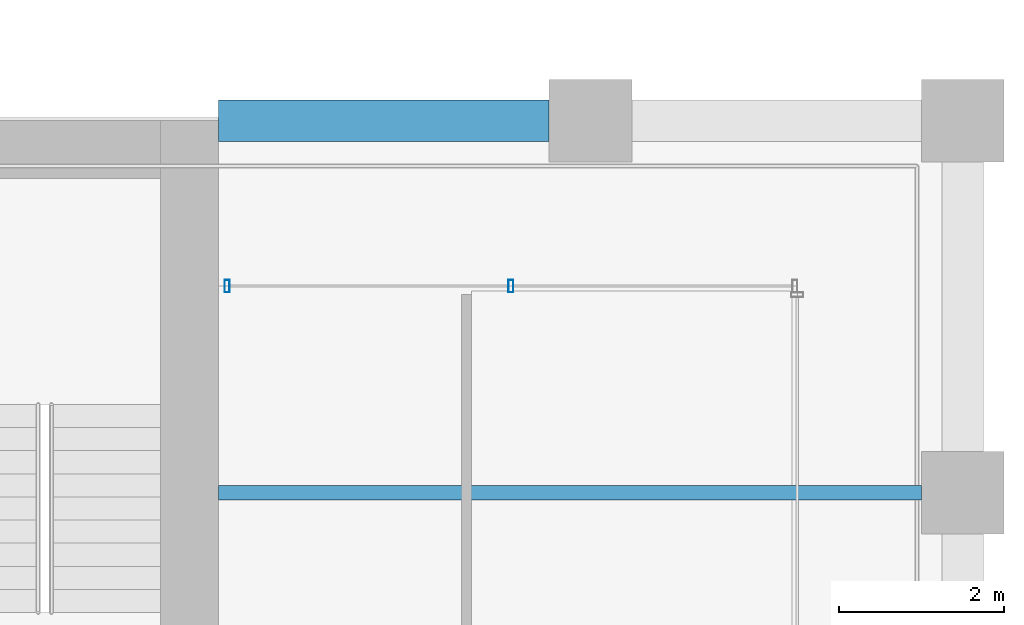
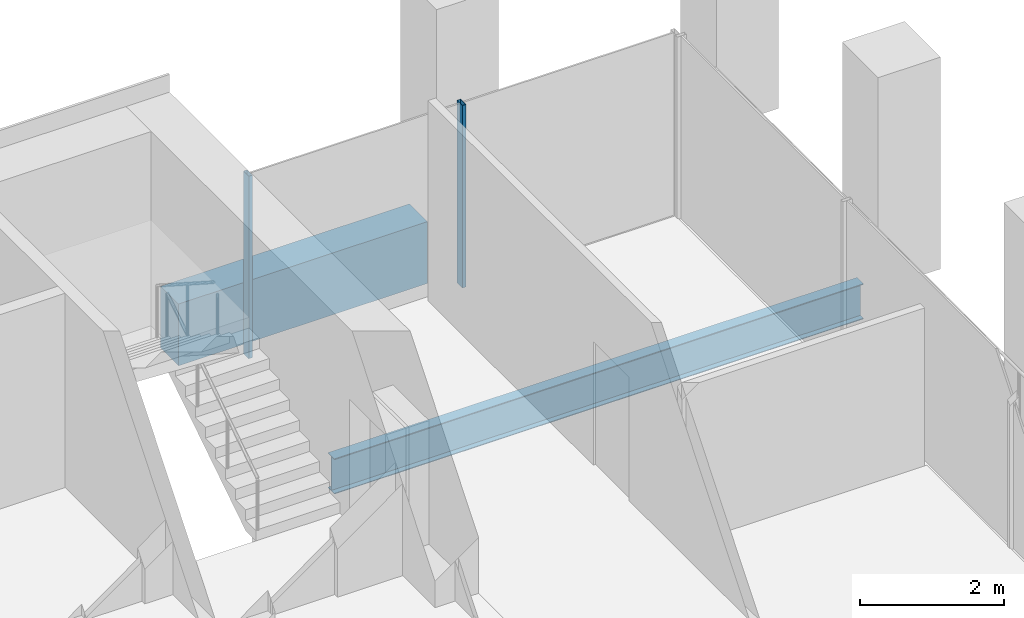
# One storey, part 36 of 46: 2 beams, 2 members, 1 element without a shape of its own.
"""IFC4 building model written with IfcOpenShell, lengths in metres."""

from ifc_helpers import new_model, si_unit, direction, frame, origin, origin_2d, place, context, subcontext, project, spatial, rectangle, hollow_rectangle, i_section, extrude, material, material_profile, profile_set, type_object, element, aggregate, save


model = new_model("IFC4")

# Units and contexts
model_context = context("Model", 3, precision=1e-05, world=origin(), true_north=direction((0.0, 1.0)))
body_context = subcontext(model_context, "Body", "Model", "MODEL_VIEW")
ifc_project = project(units=[si_unit("LENGTHUNIT", "METRE"), si_unit("AREAUNIT", "SQUARE_METRE"), si_unit("VOLUMEUNIT", "CUBIC_METRE"), si_unit("PLANEANGLEUNIT", "RADIAN"), si_unit("MASSUNIT", "GRAM", prefix="KILO")], contexts=[model_context])

# Site, building, storey
site_placement = place(None, origin())
site = spatial("IfcSite", under=ifc_project, at=site_placement, CompositionType="ELEMENT")
building_placement = place(site_placement, origin())
building = spatial("IfcBuilding", under=site, at=building_placement, Name="Altepetl Exchange Towers", CompositionType="ELEMENT")
storey_placement = place(building_placement, frame((0.0, 0.0, 135.199951171875)))
storey = spatial("IfcBuildingStorey", under=building, at=storey_placement, Name="L33", CompositionType="ELEMENT", Elevation=135.199951171875)

# Beam
ifc_material_1 = material(Name="Steel S355", Category="steel")
ifc_material_profile_1 = material_profile(ifc_material_1, i_section(OverallWidth=0.177978515625, OverallDepth=0.59912109375, WebThickness=0.010009765625, FlangeThickness=0.0126953125, at=origin_2d()), Name="W24X55")
ifc_profile_set_1 = profile_set([ifc_material_profile_1], Name="Steel S355")
beam_type_1 = type_object("IfcBeamType", Name="Floor beam W24X55", PredefinedType="BEAM", material=ifc_profile_set_1)
beam_1_placement = place(storey_placement, frame((117.0, 45.0, -0.449462890625), z_axis=(1.0, 0.0, 0.0), x_axis=(0.0, 1.0, 0.0)))
element("IfcBeam", 1, at=beam_1_placement, inside=storey, type_object=beam_type_1, Name="bm:B:L33:003", PredefinedType="BEAM", context=body_context, shape_type="SweptSolid", body=[
    extrude(i_section(OverallWidth=0.177978515625, OverallDepth=0.59912109375, WebThickness=0.010009765625, FlangeThickness=0.0126953125, at=origin_2d()), origin(), (0.0, 0.0, 1.0), 8.5),
])

# Curtain wall, members
ifc_material_2 = material(Name="Aluminium 6063-T6 glazing", Category="aluminium")
curtain_wall_type = type_object("IfcCurtainWallType", Name="Loggia glazing system", PredefinedType="NOTDEFINED", material=ifc_material_2)
curtain_wall_placement = place(storey_placement, origin())
curtain_wall = element("IfcCurtainWall", 2, at=curtain_wall_placement, inside=storey, type_object=curtain_wall_type, Name="CW1 run", PredefinedType="NOTDEFINED")
ifc_material_3 = material(Name="Aluminium 6063-T6", Category="aluminium")
ifc_material_profile_2 = material_profile(ifc_material_3, hollow_rectangle(XDim=0.06005859375, YDim=0.14990234375, WallThickness=0.0029296875, at=origin_2d()), Name="Mullion 60x150 aluminium")
ifc_profile_set_2 = profile_set([ifc_material_profile_2], Name="Aluminium 6063-T6")
member_type = type_object("IfcMemberType", Name="Mullion 60x150 aluminium", PredefinedType="MULLION", material=ifc_profile_set_2)
member_1_placement = place(storey_placement, frame((120.53759765625, 47.5, 0.0), z_axis=(0.0, 0.0, 1.0), x_axis=(-1.0, 0.0, 0.0)))
member_1 = element("IfcMember", 3, at=member_1_placement, type_object=member_type, Name="MU1 mullion", PredefinedType="MULLION", context=body_context, shape_type="SweptSolid", body=[
    extrude(hollow_rectangle(XDim=0.06005859375, YDim=0.14990234375, WallThickness=0.0029296875, at=origin_2d()), origin(), (0.0, 0.0, 1.0), 3.10009765625),
])
member_2_placement = place(storey_placement, frame((117.10498046875, 47.5, 0.0), z_axis=(0.0, 0.0, 1.0), x_axis=(-1.0, 0.0, 0.0)))
member_2 = element("IfcMember", 4, at=member_2_placement, type_object=member_type, Name="MU1 mullion", PredefinedType="MULLION", context=body_context, shape_type="SweptSolid", body=[
    extrude(hollow_rectangle(XDim=0.06005859375, YDim=0.14990234375, WallThickness=0.0029296875, at=origin_2d()), origin(), (0.0, 0.0, 1.0), 3.10009765625),
])
aggregate(curtain_wall, [member_1, member_2])

# Beam
ifc_material_4 = material(Name="Concrete C50/60 precast with cantera amarilla facing", Category="concrete")
ifc_material_profile_3 = material_profile(ifc_material_4, rectangle(XDim=0.5, YDim=1.050048828125, at=origin_2d()), Name="500 x 1050")
ifc_profile_set_3 = profile_set([ifc_material_profile_3], Name="Concrete C50/60 precast with cantera amarilla facing")
beam_type_2 = type_object("IfcBeamType", Name="Spandrel beam 500x1050 cantera amarilla", PredefinedType="SPANDREL", material=ifc_profile_set_3)
beam_2_placement = place(storey_placement, frame((121.0, 49.5, -0.675048828125), z_axis=(-1.0, 0.0, 0.0), x_axis=(0.0, -1.0, 0.0)))
element("IfcBeam", 5, at=beam_2_placement, inside=storey, type_object=beam_type_2, Name="sp:B:L33:014", PredefinedType="SPANDREL", context=body_context, shape_type="SweptSolid", body=[
    extrude(rectangle(XDim=0.5, YDim=1.050048828125, at=origin_2d()), origin(), (0.0, 0.0, 1.0), 4.0),
])

save(model, "model.ifc")
